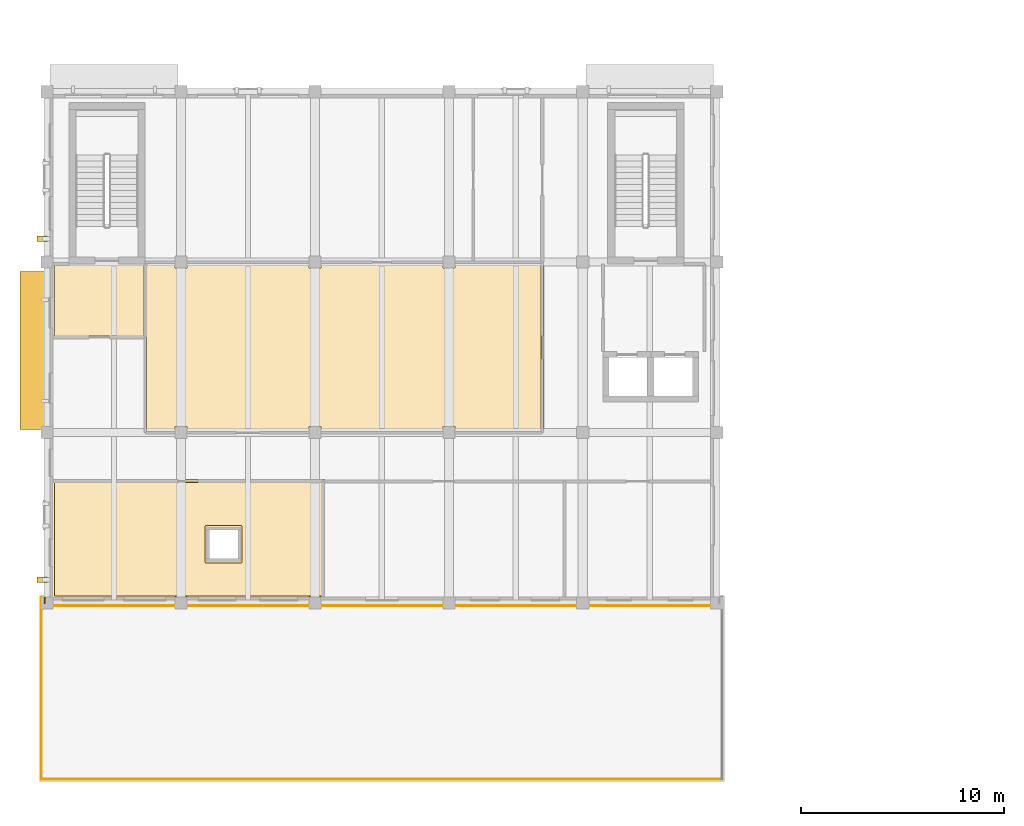
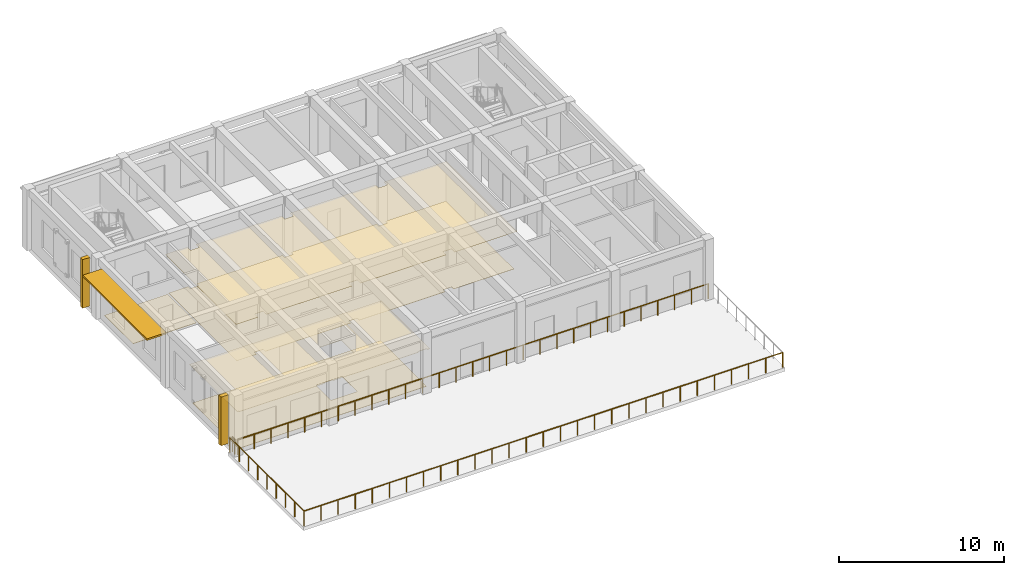
# One storey, part 18 of 25: 5 coverings, 4 railings, 3 shading devices.
"""IFC4 building model written with IfcOpenShell, lengths in metres."""

from ifc_helpers import new_model, si_unit, direction, frame, origin, origin_2d, place, context, subcontext, project, spatial, polyline, rectangle, circle, outline, extrude, material, layer, layer_set, type_object, element, save


model = new_model("IFC4")

# Units and contexts
model_context = context("Model", 3, precision=1e-05, world=origin(), true_north=direction((0.0, 1.0)))
body_context = subcontext(model_context, "Body", "Model", "MODEL_VIEW")
ifc_project = project(units=[si_unit("LENGTHUNIT", "METRE"), si_unit("AREAUNIT", "SQUARE_METRE"), si_unit("VOLUMEUNIT", "CUBIC_METRE"), si_unit("PLANEANGLEUNIT", "RADIAN"), si_unit("MASSUNIT", "GRAM", prefix="KILO")], contexts=[model_context])

# Site, building, storey
site_placement = place(None, origin())
site = spatial("IfcSite", under=ifc_project, at=site_placement, CompositionType="ELEMENT")
building_placement = place(site_placement, origin())
building = spatial("IfcBuilding", under=site, at=building_placement, Name="Kolvaren Faculty of Natural Sciences", CompositionType="ELEMENT")
storey_placement = place(building_placement, frame((0.0, 0.0, 19.5)))
storey = spatial("IfcBuildingStorey", under=building, at=storey_placement, Name="L04", CompositionType="ELEMENT", Elevation=19.5)

# Coverings
ifc_material_1 = material(Name="Perforated mineral-fibre acoustic suspended ceiling tile")
ifc_layer_1 = layer(ifc_material_1, 0.02490234375)
ifc_layer_set_1 = layer_set([ifc_layer_1], Name="Perforated mineral-fibre acoustic suspended ceiling tile")
covering_type_1 = type_object("IfcCoveringType", Name="AcousticSuspendedCeiling_25", PredefinedType="CEILING", material=ifc_layer_set_1)
covering_1_placement = place(storey_placement, frame((0.0, 0.0, 2.824951171875)))
element("IfcCovering", 1, at=covering_1_placement, inside=storey, type_object=covering_type_1, Name="L04 L04 Wet Chemistry Teaching Laboratory acoustic ceiling", PredefinedType="CEILING", context=body_context, shape_type="SweptSolid", body=[
    extrude(outline(polyline([(7.02001953125, 23.080078125), (20.47998046875, 23.080078125), (20.47998046875, 17.219970703125), (20.300048828125, 17.219970703125), (20.300048828125, 17.300048828125), (19.699951171875, 17.300048828125), (19.699951171875, 17.219970703125), (13.699951171875, 17.219970703125), (13.699951171875, 17.300048828125), (13.10009765625, 17.300048828125), (13.10009765625, 17.219970703125), (7.10009765625, 17.219970703125), (7.10009765625, 17.300048828125), (7.02001953125, 17.300048828125), (7.02001953125, 23.080078125)]), holes=[polyline([(16.280029296875, 19.1201171875), (16.280029296875, 20.679931640625), (14.719970703125, 20.679931640625), (14.719970703125, 19.1201171875), (16.280029296875, 19.1201171875)])]), origin(), (0.0, 0.0, 1.0), 0.025146484375),
])
covering_2_placement = place(storey_placement, frame((0.0, 0.0, 2.824951171875)))
element("IfcCovering", 2, at=covering_2_placement, inside=storey, type_object=covering_type_1, Name="L04 L04 Analytical Spectroscopy Laboratory acoustic ceiling", PredefinedType="CEILING", context=body_context, shape_type="SweptSolid", body=[
    extrude(outline(polyline([(31.280029296875, 25.320068359375), (26.89990234375, 25.320068359375), (26.89990234375, 25.699951171875), (26.300048828125, 25.699951171875), (26.300048828125, 25.320068359375), (20.300048828125, 25.320068359375), (20.300048828125, 25.699951171875), (19.699951171875, 25.699951171875), (19.699951171875, 25.320068359375), (13.699951171875, 25.320068359375), (13.699951171875, 25.699951171875), (13.10009765625, 25.699951171875), (13.10009765625, 25.320068359375), (11.570068359375, 25.320068359375), (11.570068359375, 33.8798828125), (13.10009765625, 33.8798828125), (13.10009765625, 33.5), (13.699951171875, 33.5), (13.699951171875, 33.8798828125), (19.699951171875, 33.8798828125), (19.699951171875, 33.5), (20.300048828125, 33.5), (20.300048828125, 33.8798828125), (26.300048828125, 33.8798828125), (26.300048828125, 33.5), (26.89990234375, 33.5), (26.89990234375, 33.8798828125), (31.280029296875, 33.8798828125), (31.280029296875, 25.320068359375)])), origin(), (0.0, 0.0, 1.0), 0.025146484375),
])

# Shading devices
ifc_material_2 = material(Name="Precast concrete C35/45", Category="concrete")
ifc_layer_2 = layer(ifc_material_2, 0.1201171875)
ifc_layer_set_2 = layer_set([ifc_layer_2], Name="Precast concrete C35/45")
shading_device_type_1 = type_object("IfcShadingDeviceType", Name="ChhajjaSolarHood_1350", PredefinedType="AWNING", material=ifc_layer_set_2)
shading_device_placement = place(storey_placement, frame((6.14501953125, 29.449951171875, 3.64501953125), z_axis=(0.0, 0.0, 1.0), x_axis=(0.0, 1.0, 0.0)))
element("IfcShadingDevice", 3, at=shading_device_placement, inside=storey, type_object=shading_device_type_1, Name="L04 precast sandstone chhajja solar hood 121", PredefinedType="AWNING", context=body_context, shape_type="SweptSolid", body=[
    extrude(rectangle(XDim=7.800048828125, YDim=1.35009765625, at=origin_2d()), origin(), (0.0, 0.0, 1.0), 0.1201171875),
])
ifc_layer_3 = layer(ifc_material_2, 0.280029296875)
ifc_layer_set_3 = layer_set([ifc_layer_3], Name="Precast concrete C35/45")
shading_device_type_2 = type_object("IfcShadingDeviceType", Name="FacadeReliefFin_280x520", PredefinedType="USERDEFINED", material=ifc_layer_set_3)
for number, where, z_axis, x_axis, name in (
    (4, (6.56005859375, 18.14990234375, 0.1201171875), (0.0, 0.0, 1.0), (0.0, 1.0, 0.0), "L04 projecting sandstone facade relief fin 10"),
    (5, (6.56005859375, 34.949951171875, 0.1201171875), (0.0, 0.0, 1.0), (0.0, 1.0, 0.0), "L04 projecting sandstone facade relief fin 11"),
):
    element("IfcShadingDevice", number, at=place(storey_placement, frame(where, z_axis=z_axis, x_axis=x_axis)), inside=storey, type_object=shading_device_type_2, Name=name, ObjectType="FIN", PredefinedType="USERDEFINED", context=body_context, shape_type="SweptSolid", body=[
        extrude(rectangle(XDim=0.280029296875, YDim=0.52001953125, at=origin_2d()), origin(), (0.0, 0.0, 1.0), 3.60498046875),
    ])

# Railings
ifc_material_3 = material(Name="Structural steel EN 10210-1 S355J2H", Category="steel")
ifc_layer_4 = layer(ifc_material_3, 0.048095703125)
ifc_layer_set_4 = layer_set([ifc_layer_4], Name="Structural steel EN 10210-1 S355J2H")
railing_type = type_object("IfcRailingType", Name="GuardRailing_GRD110", PredefinedType="BALUSTRADE", material=ifc_layer_set_4)
railing_1_placement = place(storey_placement, frame((6.52001953125, 8.320068359375, 0.0)))
element("IfcRailing", 6, at=railing_1_placement, inside=storey, type_object=railing_type, Name="L04 West Laboratory South Garden Roof Terrace perimeter balustrade 10", PredefinedType="BALUSTRADE", context=body_context, shape_type="SweptSolid", body=[
    extrude(circle(Radius=0.02392578125, at=origin_2d()), frame((0.0, 0.0, 1.09619140625), z_axis=(0.0, 1.0, 0.0), x_axis=(-1.0, 0.0, 0.0)), (0.0, 0.0, 1.0), 8.9599609375),
    extrude(circle(Radius=0.02099609375, at=origin_2d()), origin(), (0.0, 0.0, 1.0), 1.072021484375),
    extrude(circle(Radius=0.02099609375, at=origin_2d()), frame((0.0, 1.1201171875, 0.0)), (0.0, 0.0, 1.0), 1.072021484375),
    extrude(circle(Radius=0.02099609375, at=origin_2d()), frame((0.0, 2.239990234375, 0.0)), (0.0, 0.0, 1.0), 1.072021484375),
    extrude(circle(Radius=0.02099609375, at=origin_2d()), frame((0.0, 3.35986328125, 0.0)), (0.0, 0.0, 1.0), 1.072021484375),
    extrude(circle(Radius=0.02099609375, at=origin_2d()), frame((0.0, 4.47998046875, 0.0)), (0.0, 0.0, 1.0), 1.072021484375),
    extrude(circle(Radius=0.02099609375, at=origin_2d()), frame((0.0, 5.60009765625, 0.0)), (0.0, 0.0, 1.0), 1.072021484375),
    extrude(circle(Radius=0.02099609375, at=origin_2d()), frame((0.0, 6.719970703125, 0.0)), (0.0, 0.0, 1.0), 1.072021484375),
    extrude(circle(Radius=0.02099609375, at=origin_2d()), frame((0.0, 7.83984375, 0.0)), (0.0, 0.0, 1.0), 1.072021484375),
    extrude(circle(Radius=0.02099609375, at=origin_2d()), frame((0.0, 8.9599609375, 0.0)), (0.0, 0.0, 1.0), 1.072021484375),
])
railing_2_placement = place(storey_placement, frame((6.679931640625, 17.280029296875, 0.0)))
element("IfcRailing", 7, at=railing_2_placement, inside=storey, type_object=railing_type, Name="L04 West Laboratory South Garden Roof Terrace perimeter balustrade 11", PredefinedType="BALUSTRADE", context=body_context, shape_type="SweptSolid", body=[
    extrude(circle(Radius=0.02392578125, at=origin_2d()), frame((0.0, 0.0, 1.09619140625), z_axis=(0.0, -1.0, 0.0), x_axis=(1.0, 0.0, 0.0)), (0.0, 0.0, 1.0), 0.280029296875),
    extrude(circle(Radius=0.02099609375, at=origin_2d()), origin(), (0.0, 0.0, 1.0), 1.072021484375),
    extrude(circle(Radius=0.02099609375, at=origin_2d()), frame((0.0, -0.280029296875, 0.0)), (0.0, 0.0, 1.0), 1.072021484375),
])
railing_3_placement = place(storey_placement, frame((6.800048828125, 16.8798828125, 0.0)))
element("IfcRailing", 8, at=railing_3_placement, inside=storey, type_object=railing_type, Name="L04 West Laboratory South Garden Roof Terrace perimeter balustrade 12", PredefinedType="BALUSTRADE", context=body_context, shape_type="SweptSolid", body=[
    extrude(circle(Radius=0.02392578125, at=origin_2d()), frame((0.0, 0.0, 1.09619140625), z_axis=(1.0, 0.0, 0.0), x_axis=(0.0, 1.0, 0.0)), (0.0, 0.0, 1.0), 33.0),
    extrude(circle(Radius=0.02099609375, at=origin_2d()), origin(), (0.0, 0.0, 1.0), 1.072021484375),
    extrude(circle(Radius=0.02099609375, at=origin_2d()), frame((1.178466796875, 0.0, 0.0)), (0.0, 0.0, 1.0), 1.072021484375),
    extrude(circle(Radius=0.02099609375, at=origin_2d()), frame((2.357177734375, 0.0, 0.0)), (0.0, 0.0, 1.0), 1.072021484375),
    extrude(circle(Radius=0.02099609375, at=origin_2d()), frame((3.53564453125, 0.0, 0.0)), (0.0, 0.0, 1.0), 1.072021484375),
    extrude(circle(Radius=0.02099609375, at=origin_2d()), frame((4.71435546875, 0.0, 0.0)), (0.0, 0.0, 1.0), 1.072021484375),
    extrude(circle(Radius=0.02099609375, at=origin_2d()), frame((5.892822265625, 0.0, 0.0)), (0.0, 0.0, 1.0), 1.072021484375),
    extrude(circle(Radius=0.02099609375, at=origin_2d()), frame((7.071533203125, 0.0, 0.0)), (0.0, 0.0, 1.0), 1.072021484375),
    extrude(circle(Radius=0.02099609375, at=origin_2d()), frame((8.25, 0.0, 0.0)), (0.0, 0.0, 1.0), 1.072021484375),
    extrude(circle(Radius=0.02099609375, at=origin_2d()), frame((9.428466796875, 0.0, 0.0)), (0.0, 0.0, 1.0), 1.072021484375),
    extrude(circle(Radius=0.02099609375, at=origin_2d()), frame((10.607177734375, 0.0, 0.0)), (0.0, 0.0, 1.0), 1.072021484375),
    extrude(circle(Radius=0.02099609375, at=origin_2d()), frame((11.78564453125, 0.0, 0.0)), (0.0, 0.0, 1.0), 1.072021484375),
    extrude(circle(Radius=0.02099609375, at=origin_2d()), frame((12.96435546875, 0.0, 0.0)), (0.0, 0.0, 1.0), 1.072021484375),
    extrude(circle(Radius=0.02099609375, at=origin_2d()), frame((14.142822265625, 0.0, 0.0)), (0.0, 0.0, 1.0), 1.072021484375),
    extrude(circle(Radius=0.02099609375, at=origin_2d()), frame((15.321533203125, 0.0, 0.0)), (0.0, 0.0, 1.0), 1.072021484375),
    extrude(circle(Radius=0.02099609375, at=origin_2d()), frame((16.5, 0.0, 0.0)), (0.0, 0.0, 1.0), 1.072021484375),
    extrude(circle(Radius=0.02099609375, at=origin_2d()), frame((17.678466796875, 0.0, 0.0)), (0.0, 0.0, 1.0), 1.072021484375),
    extrude(circle(Radius=0.02099609375, at=origin_2d()), frame((18.857177734375, 0.0, 0.0)), (0.0, 0.0, 1.0), 1.072021484375),
    extrude(circle(Radius=0.02099609375, at=origin_2d()), frame((20.03564453125, 0.0, 0.0)), (0.0, 0.0, 1.0), 1.072021484375),
    extrude(circle(Radius=0.02099609375, at=origin_2d()), frame((21.21435546875, 0.0, 0.0)), (0.0, 0.0, 1.0), 1.072021484375),
    extrude(circle(Radius=0.02099609375, at=origin_2d()), frame((22.392822265625, 0.0, 0.0)), (0.0, 0.0, 1.0), 1.072021484375),
    extrude(circle(Radius=0.02099609375, at=origin_2d()), frame((23.571533203125, 0.0, 0.0)), (0.0, 0.0, 1.0), 1.072021484375),
    extrude(circle(Radius=0.02099609375, at=origin_2d()), frame((24.75, 0.0, 0.0)), (0.0, 0.0, 1.0), 1.072021484375),
    extrude(circle(Radius=0.02099609375, at=origin_2d()), frame((25.928466796875, 0.0, 0.0)), (0.0, 0.0, 1.0), 1.072021484375),
    extrude(circle(Radius=0.02099609375, at=origin_2d()), frame((27.107177734375, 0.0, 0.0)), (0.0, 0.0, 1.0), 1.072021484375),
    extrude(circle(Radius=0.02099609375, at=origin_2d()), frame((28.28564453125, 0.0, 0.0)), (0.0, 0.0, 1.0), 1.072021484375),
    extrude(circle(Radius=0.02099609375, at=origin_2d()), frame((29.46435546875, 0.0, 0.0)), (0.0, 0.0, 1.0), 1.072021484375),
    extrude(circle(Radius=0.02099609375, at=origin_2d()), frame((30.642822265625, 0.0, 0.0)), (0.0, 0.0, 1.0), 1.072021484375),
    extrude(circle(Radius=0.02099609375, at=origin_2d()), frame((31.821533203125, 0.0, 0.0)), (0.0, 0.0, 1.0), 1.072021484375),
    extrude(circle(Radius=0.02099609375, at=origin_2d()), frame((33.0, 0.0, 0.0)), (0.0, 0.0, 1.0), 1.072021484375),
])
railing_4_placement = place(storey_placement, frame((40.080078125, 8.320068359375, 0.0)))
element("IfcRailing", 9, at=railing_4_placement, inside=storey, type_object=railing_type, Name="L04 West Laboratory South Garden Roof Terrace perimeter balustrade 15", PredefinedType="BALUSTRADE", context=body_context, shape_type="SweptSolid", body=[
    extrude(circle(Radius=0.02392578125, at=origin_2d()), frame((0.0, 0.0, 1.09619140625), z_axis=(-1.0, 0.0, 0.0), x_axis=(0.0, -1.0, 0.0)), (0.0, 0.0, 1.0), 33.56005859375),
    extrude(circle(Radius=0.02099609375, at=origin_2d()), origin(), (0.0, 0.0, 1.0), 1.072021484375),
    extrude(circle(Radius=0.02099609375, at=origin_2d()), frame((-1.198486328125, 0.0, 0.0)), (0.0, 0.0, 1.0), 1.072021484375),
    extrude(circle(Radius=0.02099609375, at=origin_2d()), frame((-2.397216796875, 0.0, 0.0)), (0.0, 0.0, 1.0), 1.072021484375),
    extrude(circle(Radius=0.02099609375, at=origin_2d()), frame((-3.595703125, 0.0, 0.0)), (0.0, 0.0, 1.0), 1.072021484375),
    extrude(circle(Radius=0.02099609375, at=origin_2d()), frame((-4.794189453125, 0.0, 0.0)), (0.0, 0.0, 1.0), 1.072021484375),
    extrude(circle(Radius=0.02099609375, at=origin_2d()), frame((-5.992919921875, 0.0, 0.0)), (0.0, 0.0, 1.0), 1.072021484375),
    extrude(circle(Radius=0.02099609375, at=origin_2d()), frame((-7.19140625, 0.0, 0.0)), (0.0, 0.0, 1.0), 1.072021484375),
    extrude(circle(Radius=0.02099609375, at=origin_2d()), frame((-8.39013671875, 0.0, 0.0)), (0.0, 0.0, 1.0), 1.072021484375),
    extrude(circle(Radius=0.02099609375, at=origin_2d()), frame((-9.588623046875, 0.0, 0.0)), (0.0, 0.0, 1.0), 1.072021484375),
    extrude(circle(Radius=0.02099609375, at=origin_2d()), frame((-10.787109375, 0.0, 0.0)), (0.0, 0.0, 1.0), 1.072021484375),
    extrude(circle(Radius=0.02099609375, at=origin_2d()), frame((-11.98583984375, 0.0, 0.0)), (0.0, 0.0, 1.0), 1.072021484375),
    extrude(circle(Radius=0.02099609375, at=origin_2d()), frame((-13.184326171875, 0.0, 0.0)), (0.0, 0.0, 1.0), 1.072021484375),
    extrude(circle(Radius=0.02099609375, at=origin_2d()), frame((-14.3828125, 0.0, 0.0)), (0.0, 0.0, 1.0), 1.072021484375),
    extrude(circle(Radius=0.02099609375, at=origin_2d()), frame((-15.58154296875, 0.0, 0.0)), (0.0, 0.0, 1.0), 1.072021484375),
    extrude(circle(Radius=0.02099609375, at=origin_2d()), frame((-16.780029296875, 0.0, 0.0)), (0.0, 0.0, 1.0), 1.072021484375),
    extrude(circle(Radius=0.02099609375, at=origin_2d()), frame((-17.978515625, 0.0, 0.0)), (0.0, 0.0, 1.0), 1.072021484375),
    extrude(circle(Radius=0.02099609375, at=origin_2d()), frame((-19.17724609375, 0.0, 0.0)), (0.0, 0.0, 1.0), 1.072021484375),
    extrude(circle(Radius=0.02099609375, at=origin_2d()), frame((-20.375732421875, 0.0, 0.0)), (0.0, 0.0, 1.0), 1.072021484375),
    extrude(circle(Radius=0.02099609375, at=origin_2d()), frame((-21.57421875, 0.0, 0.0)), (0.0, 0.0, 1.0), 1.072021484375),
    extrude(circle(Radius=0.02099609375, at=origin_2d()), frame((-22.77294921875, 0.0, 0.0)), (0.0, 0.0, 1.0), 1.072021484375),
    extrude(circle(Radius=0.02099609375, at=origin_2d()), frame((-23.971435546875, 0.0, 0.0)), (0.0, 0.0, 1.0), 1.072021484375),
    extrude(circle(Radius=0.02099609375, at=origin_2d()), frame((-25.169921875, 0.0, 0.0)), (0.0, 0.0, 1.0), 1.072021484375),
    extrude(circle(Radius=0.02099609375, at=origin_2d()), frame((-26.36865234375, 0.0, 0.0)), (0.0, 0.0, 1.0), 1.072021484375),
    extrude(circle(Radius=0.02099609375, at=origin_2d()), frame((-27.567138671875, 0.0, 0.0)), (0.0, 0.0, 1.0), 1.072021484375),
    extrude(circle(Radius=0.02099609375, at=origin_2d()), frame((-28.765869140625, 0.0, 0.0)), (0.0, 0.0, 1.0), 1.072021484375),
    extrude(circle(Radius=0.02099609375, at=origin_2d()), frame((-29.96435546875, 0.0, 0.0)), (0.0, 0.0, 1.0), 1.072021484375),
    extrude(circle(Radius=0.02099609375, at=origin_2d()), frame((-31.162841796875, 0.0, 0.0)), (0.0, 0.0, 1.0), 1.072021484375),
    extrude(circle(Radius=0.02099609375, at=origin_2d()), frame((-32.361572265625, 0.0, 0.0)), (0.0, 0.0, 1.0), 1.072021484375),
    extrude(circle(Radius=0.02099609375, at=origin_2d()), frame((-33.56005859375, 0.0, 0.0)), (0.0, 0.0, 1.0), 1.072021484375),
])

# Coverings
ifc_material_4 = material(Name="Seamless chemical-resistant laboratory epoxy resin flooring")
ifc_layer_5 = layer(ifc_material_4, 0.02001953125)
ifc_layer_set_5 = layer_set([ifc_layer_5], Name="Seamless chemical-resistant laboratory epoxy resin flooring")
covering_type_2 = type_object("IfcCoveringType", Name="LabEpoxyFloorFinish_20", PredefinedType="FLOORING", material=ifc_layer_set_5)
covering_3_placement = place(storey_placement, origin())
element("IfcCovering", 10, at=covering_3_placement, inside=storey, type_object=covering_type_2, Name="L04 L04 Wet Chemistry Teaching Laboratory floor finish", PredefinedType="FLOORING", context=body_context, shape_type="SweptSolid", body=[
    extrude(outline(polyline([(7.159912109375, 17.360107421875), (7.159912109375, 22.93994140625), (20.340087890625, 22.93994140625), (20.340087890625, 17.360107421875), (7.159912109375, 17.360107421875)]), holes=[polyline([(14.634033203125, 20.819580078125), (14.62841796875, 20.81884765625), (14.62255859375, 20.8173828125), (14.616943359375, 20.8154296875), (14.61181640625, 20.81298828125), (14.606689453125, 20.809814453125), (14.601806640625, 20.806396484375), (14.59765625, 20.802490234375), (14.593505859375, 20.798095703125), (14.590087890625, 20.793212890625), (14.587158203125, 20.788330078125), (14.584716796875, 20.782958984375), (14.58251953125, 20.77734375), (14.581298828125, 20.771728515625), (14.580322265625, 20.765869140625), (14.580078125, 20.760009765625), (14.580078125, 19.0400390625), (14.580322265625, 19.0341796875), (14.581298828125, 19.0283203125), (14.58251953125, 19.022705078125), (14.584716796875, 19.01708984375), (14.587158203125, 19.01171875), (14.590087890625, 19.006591796875), (14.593505859375, 19.001953125), (14.59765625, 18.99755859375), (14.601806640625, 18.99365234375), (14.606689453125, 18.989990234375), (14.61181640625, 18.987060546875), (14.616943359375, 18.984619140625), (14.62255859375, 18.982666015625), (14.62841796875, 18.981201171875), (14.634033203125, 18.980224609375), (14.639892578125, 18.97998046875), (16.360107421875, 18.97998046875), (16.365966796875, 18.980224609375), (16.37158203125, 18.981201171875), (16.37744140625, 18.982666015625), (16.383056640625, 18.984619140625), (16.38818359375, 18.987060546875), (16.393310546875, 18.989990234375), (16.398193359375, 18.99365234375), (16.40234375, 18.99755859375), (16.406494140625, 19.001953125), (16.409912109375, 19.006591796875), (16.412841796875, 19.01171875), (16.415283203125, 19.01708984375), (16.41748046875, 19.022705078125), (16.418701171875, 19.0283203125), (16.419677734375, 19.0341796875), (16.419921875, 19.0400390625), (16.419921875, 20.760009765625), (16.419677734375, 20.765869140625), (16.418701171875, 20.771728515625), (16.41748046875, 20.77734375), (16.415283203125, 20.782958984375), (16.412841796875, 20.788330078125), (16.409912109375, 20.793212890625), (16.406494140625, 20.798095703125), (16.40234375, 20.802490234375), (16.398193359375, 20.806396484375), (16.393310546875, 20.809814453125), (16.38818359375, 20.81298828125), (16.383056640625, 20.8154296875), (16.37744140625, 20.8173828125), (16.37158203125, 20.81884765625), (16.365966796875, 20.819580078125), (16.360107421875, 20.820068359375), (14.639892578125, 20.820068359375), (14.634033203125, 20.819580078125)])]), origin(), (0.0, 0.0, 1.0), 0.02001953125),
])
covering_4_placement = place(storey_placement, origin())
element("IfcCovering", 11, at=covering_4_placement, inside=storey, type_object=covering_type_2, Name="L04 L04 Analytical Spectroscopy Laboratory floor finish", PredefinedType="FLOORING", context=body_context, shape_type="SweptSolid", body=[
    extrude(outline(polyline([(13.10009765625, 33.739990234375), (13.10009765625, 33.5), (13.699951171875, 33.5), (13.699951171875, 33.739990234375), (19.699951171875, 33.739990234375), (19.699951171875, 33.5), (20.300048828125, 33.5), (20.300048828125, 33.739990234375), (26.300048828125, 33.739990234375), (26.300048828125, 33.5), (26.89990234375, 33.5), (26.89990234375, 33.739990234375), (31.139892578125, 33.739990234375), (31.139892578125, 25.4599609375), (26.89990234375, 25.4599609375), (26.89990234375, 25.699951171875), (26.300048828125, 25.699951171875), (26.300048828125, 25.4599609375), (20.300048828125, 25.4599609375), (20.300048828125, 25.699951171875), (19.699951171875, 25.699951171875), (19.699951171875, 25.4599609375), (13.699951171875, 25.4599609375), (13.699951171875, 25.699951171875), (13.10009765625, 25.699951171875), (13.10009765625, 25.4599609375), (11.7099609375, 25.4599609375), (11.7099609375, 33.739990234375), (13.10009765625, 33.739990234375)])), origin(), (0.0, 0.0, 1.0), 0.02001953125),
])
ifc_material_5 = material(Name="Polished Uruguayan grey granite terrazzo flooring", Category="masonry")
ifc_layer_6 = layer(ifc_material_5, 0.030029296875)
ifc_layer_set_6 = layer_set([ifc_layer_6], Name="Polished Uruguayan grey granite terrazzo flooring")
covering_type_3 = type_object("IfcCoveringType", Name="TerrazzoFloorFinish_30", PredefinedType="FLOORING", material=ifc_layer_set_6)
covering_5_placement = place(storey_placement, origin())
element("IfcCovering", 12, at=covering_5_placement, inside=storey, type_object=covering_type_3, Name="L04 L04 Protected Stair Lobby ST-8 floor finish", PredefinedType="FLOORING", context=body_context, shape_type="SweptSolid", body=[
    extrude(outline(polyline([(7.159912109375, 30.159912109375), (7.159912109375, 33.639892578125), (11.590087890625, 33.639892578125), (11.590087890625, 30.159912109375), (7.159912109375, 30.159912109375)])), origin(), (0.0, 0.0, 1.0), 0.030029296875),
])

save(model, "model.ifc")
